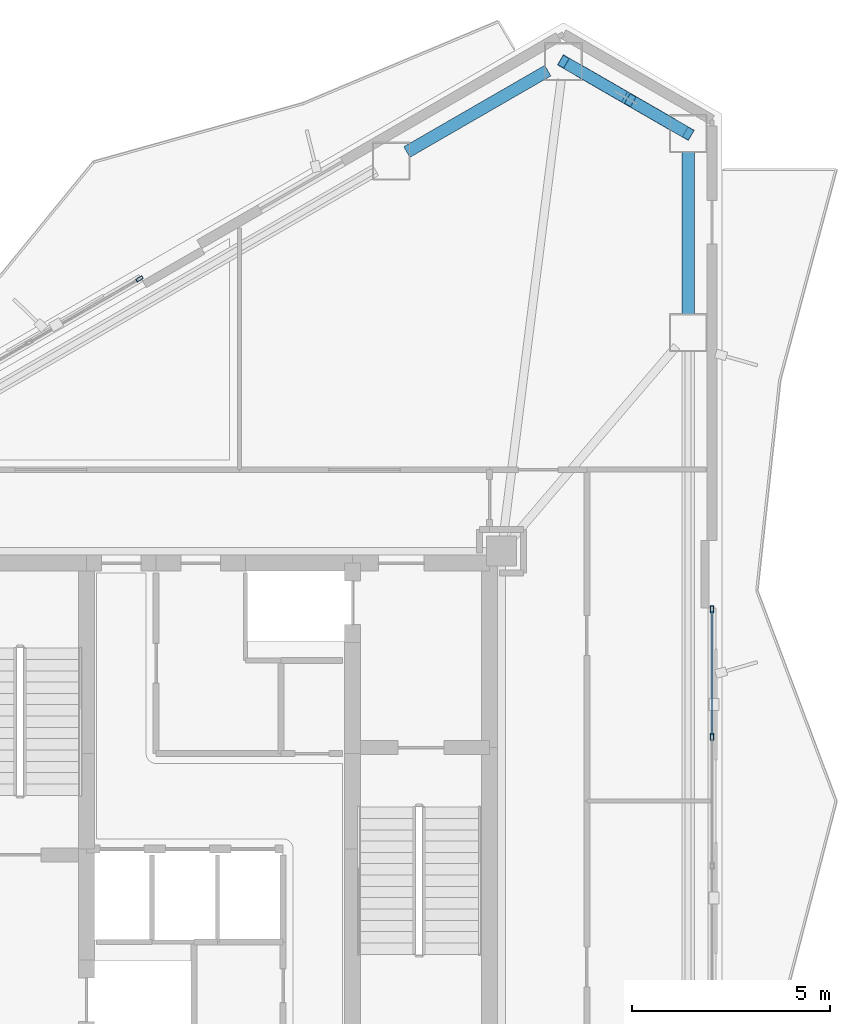
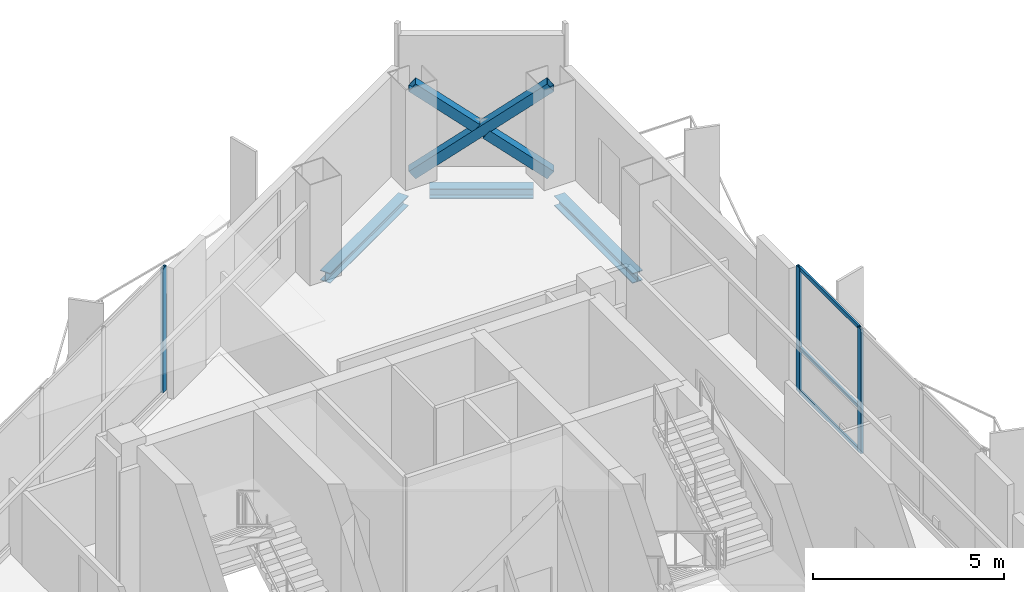
# One storey, part 11 of 18: 9 members, 3 beams, 2 elements without a shape of their own.
"""IFC4 building model written with IfcOpenShell, lengths in metres."""

from ifc_helpers import new_model, si_unit, direction, frame, origin, origin_2d, place, context, subcontext, project, spatial, hollow_rectangle, i_section, extrude, material, layer, layer_set, material_profile, profile_set, type_object, element, aggregate, save


model = new_model("IFC4")

# Units and contexts
model_context = context("Model", 3, precision=1e-05, world=origin(), true_north=direction((0.0, 1.0)))
body_context = subcontext(model_context, "Body", "Model", "MODEL_VIEW")
ifc_project = project(units=[si_unit("LENGTHUNIT", "METRE"), si_unit("AREAUNIT", "SQUARE_METRE"), si_unit("VOLUMEUNIT", "CUBIC_METRE"), si_unit("PLANEANGLEUNIT", "RADIAN"), si_unit("MASSUNIT", "GRAM", prefix="KILO")], contexts=[model_context])

# Site, building, storey
site_placement = place(None, origin())
site = spatial("IfcSite", under=ifc_project, at=site_placement, CompositionType="ELEMENT")
building_placement = place(site_placement, origin())
building = spatial("IfcBuilding", under=site, at=building_placement, Name="Mersakhor Tower and Convention Hall", CompositionType="ELEMENT")
storey_placement = place(building_placement, frame((0.0, 0.0, 170.699951171875)))
storey = spatial("IfcBuildingStorey", under=building, at=storey_placement, Name="L47", CompositionType="ELEMENT", Elevation=170.699951171875)

# Beams
ifc_material_1 = material(Name="Steel S355", Category="steel")
ifc_material_profile_1 = material_profile(ifc_material_1, i_section(OverallWidth=0.30908203125, OverallDepth=0.320556640625, WebThickness=0.013916015625, FlangeThickness=0.021728515625, at=origin_2d()), Name="UC 305x305x137")
ifc_profile_set_1 = profile_set([ifc_material_profile_1], Name="Steel S355")
beam_type = type_object("IfcBeamType", Name="BM-SPD-UC305", PredefinedType="SPANDREL", material=ifc_profile_set_1)
beam_1_placement = place(storey_placement, frame((33.71630859375, 43.102783203125, -0.440185546875), z_axis=(0.86602202897, 0.500005845305, 0.0), x_axis=(-0.500005845305, 0.86602202897, 0.0)))
element("IfcBeam", 1, at=beam_1_placement, inside=storey, type_object=beam_type, Name="L47 Perimeter Spandrel Beam SPB-03", PredefinedType="SPANDREL", context=body_context, shape_type="SweptSolid", body=[
    extrude(i_section(OverallWidth=0.30908203125, OverallDepth=0.320556640625, WebThickness=0.013916015625, FlangeThickness=0.021728515625, at=origin_2d()), origin(), (0.0, 0.0, 1.0), 4.1015625),
])
beam_2_placement = place(storey_placement, frame((38.056396484375, 45.153564453125, -0.440185546875), z_axis=(0.866050945225, -0.499955758317, 0.0), x_axis=(0.499955758317, 0.866050945225, 0.0)))
element("IfcBeam", 2, at=beam_2_placement, inside=storey, type_object=beam_type, Name="L47 Perimeter Spandrel Beam SPB-04", PredefinedType="SPANDREL", context=body_context, shape_type="SweptSolid", body=[
    extrude(i_section(OverallWidth=0.30908203125, OverallDepth=0.320556640625, WebThickness=0.013916015625, FlangeThickness=0.021728515625, at=origin_2d()), origin(), (0.0, 0.0, 1.0), 2.717529296875),
])
beam_3_placement = place(storey_placement, frame((40.8037109375, 43.1123046875, -0.440185546875), z_axis=(0.0, -1.0, 0.0), x_axis=(1.0, 0.0, 0.0)))
element("IfcBeam", 3, at=beam_3_placement, inside=storey, type_object=beam_type, Name="L47 Perimeter Spandrel Beam SPB-05", PredefinedType="SPANDREL", context=body_context, shape_type="SweptSolid", body=[
    extrude(i_section(OverallWidth=0.30908203125, OverallDepth=0.320556640625, WebThickness=0.013916015625, FlangeThickness=0.021728515625, at=origin_2d()), origin(), (0.0, 0.0, 1.0), 4.1015625),
])

# Curtain wall, member
ifc_material_2 = material(Name="Dark solar low-E aluminium curtain wall", Category="aluminium")
ifc_layer = layer(ifc_material_2, 0.199951171875)
ifc_layer_set = layer_set([ifc_layer], Name="Dark solar low-E aluminium curtain wall")
curtain_wall_type = type_object("IfcCurtainWallType", Name="CW-SYS-05", PredefinedType="USERDEFINED", material=ifc_layer_set)
curtain_wall_1_placement = place(storey_placement, origin())
curtain_wall_1 = element("IfcCurtainWall", 4, at=curtain_wall_1_placement, inside=storey, type_object=curtain_wall_type, Name="L47 Dark-Glass Curtain Wall F1-B2", ObjectType="CURTAIN WALL", PredefinedType="USERDEFINED")
ifc_material_3 = material(Name="Anodised aluminium EN AW-6063 T6", Category="aluminium")
ifc_material_profile_2 = material_profile(ifc_material_3, hollow_rectangle(XDim=0.080078125, YDim=0.179931640625, WallThickness=0.008056640625, at=origin_2d()), Name="RHS 180x80x8")
ifc_profile_set_2 = profile_set([ifc_material_profile_2], Name="Anodised aluminium EN AW-6063 T6")
member_type_1 = type_object("IfcMemberType", Name="CWM-180x80", PredefinedType="MULLION", material=ifc_profile_set_2)
member_1_placement = place(storey_placement, frame((26.982177734375, 39.90771484375, 0.199951171875), z_axis=(0.0, 0.0, 1.0), x_axis=(-0.499998484116, 0.866026278978, 0.0)))
member_1 = element("IfcMember", 5, at=member_1_placement, type_object=member_type_1, Name="CW-05 mullion 4", PredefinedType="MULLION", context=body_context, shape_type="SweptSolid", body=[
    extrude(hollow_rectangle(XDim=0.080078125, YDim=0.179931640625, WallThickness=0.008056640625, at=origin_2d()), origin(), (0.0, 0.0, 1.0), 3.989990234375),
])
aggregate(curtain_wall_1, [member_1])

# Curtain wall, members
curtain_wall_2_placement = place(storey_placement, origin())
curtain_wall_2 = element("IfcCurtainWall", 6, at=curtain_wall_2_placement, inside=storey, type_object=curtain_wall_type, Name="L47 Dark-Glass Curtain Wall F2-B2", ObjectType="CURTAIN WALL", PredefinedType="USERDEFINED")
member_2_placement = place(storey_placement, frame((41.40380859375, 31.581298828125, 0.199951171875), z_axis=(0.0, 0.0, 1.0), x_axis=(1.0, 0.0, 0.0)))
member_2 = element("IfcMember", 7, at=member_2_placement, type_object=member_type_1, Name="CW-05 mullion 1", PredefinedType="MULLION", context=body_context, shape_type="SweptSolid", body=[
    extrude(hollow_rectangle(XDim=0.080078125, YDim=0.179931640625, WallThickness=0.008056640625, at=origin_2d()), origin(), (0.0, 0.0, 1.0), 3.989990234375),
])
member_3_placement = place(storey_placement, frame((41.40380859375, 28.373779296875, 0.199951171875), z_axis=(0.0, 0.0, 1.0), x_axis=(1.0, 0.0, 0.0)))
member_3 = element("IfcMember", 8, at=member_3_placement, type_object=member_type_1, Name="CW-05 mullion 2", PredefinedType="MULLION", context=body_context, shape_type="SweptSolid", body=[
    extrude(hollow_rectangle(XDim=0.080078125, YDim=0.179931640625, WallThickness=0.008056640625, at=origin_2d()), origin(), (0.0, 0.0, 1.0), 3.989990234375),
])
ifc_material_4 = material(Name="Anodised aluminium EN AW-6063 T6", Category="aluminium")
ifc_material_profile_3 = material_profile(ifc_material_4, hollow_rectangle(XDim=0.06005859375, YDim=0.1201171875, WallThickness=0.0048828125, at=origin_2d()), Name="RHS 120x60x5")
ifc_profile_set_3 = profile_set([ifc_material_profile_3], Name="Anodised aluminium EN AW-6063 T6")
member_type_2 = type_object("IfcMemberType", Name="CWT-120x60", PredefinedType="USERDEFINED", material=ifc_profile_set_3)
member_4_placement = place(storey_placement, frame((41.40380859375, 31.541259765625, 0.22998046875), z_axis=(0.0, -1.0, 0.0), x_axis=(1.0, 0.0, 0.0)))
member_4 = element("IfcMember", 9, at=member_4_placement, type_object=member_type_2, Name="CW-05 transom 1.1", ObjectType="TRANSOM", PredefinedType="USERDEFINED", context=body_context, shape_type="SweptSolid", body=[
    extrude(hollow_rectangle(XDim=0.06005859375, YDim=0.1201171875, WallThickness=0.0048828125, at=origin_2d()), origin(), (0.0, 0.0, 1.0), 3.12744140625),
])
member_5_placement = place(storey_placement, frame((41.40380859375, 31.541259765625, 1.6201171875), z_axis=(0.0, -1.0, 0.0), x_axis=(1.0, 0.0, 0.0)))
member_5 = element("IfcMember", 10, at=member_5_placement, type_object=member_type_2, Name="CW-05 transom 1.2", ObjectType="TRANSOM", PredefinedType="USERDEFINED", context=body_context, shape_type="SweptSolid", body=[
    extrude(hollow_rectangle(XDim=0.06005859375, YDim=0.1201171875, WallThickness=0.0048828125, at=origin_2d()), origin(), (0.0, 0.0, 1.0), 3.12744140625),
])
member_6_placement = place(storey_placement, frame((41.40380859375, 31.541259765625, 4.16015625), z_axis=(0.0, -1.0, 0.0), x_axis=(1.0, 0.0, 0.0)))
member_6 = element("IfcMember", 11, at=member_6_placement, type_object=member_type_2, Name="CW-05 transom 1.3", ObjectType="TRANSOM", PredefinedType="USERDEFINED", context=body_context, shape_type="SweptSolid", body=[
    extrude(hollow_rectangle(XDim=0.06005859375, YDim=0.1201171875, WallThickness=0.0048828125, at=origin_2d()), origin(), (0.0, 0.0, 1.0), 3.12744140625),
])
aggregate(curtain_wall_2, [member_2, member_3, member_4, member_5, member_6])

# Members
ifc_material_5 = material(Name="Steel S355", Category="steel")
ifc_material_profile_4 = material_profile(ifc_material_5, hollow_rectangle(XDim=0.300048828125, YDim=0.300048828125, WallThickness=0.01611328125, at=origin_2d()), Name="SHS 300x300x16")
ifc_profile_set_4 = profile_set([ifc_material_profile_4], Name="Steel S355")
member_type_3 = type_object("IfcMemberType", Name="MB-BRC-SHS300", PredefinedType="BRACE", material=ifc_profile_set_4)
member_7_placement = place(storey_placement, frame((37.662353515625, 45.381103515625, 0.150146484375), z_axis=(0.685555635189, -0.395818202675, 0.611016711304), x_axis=(0.500011816409, 0.86601858147, 0.0)))
element("IfcMember", 12, at=member_7_placement, inside=storey, type_object=member_type_3, Name="L47 Chamfer Braced Frame Diagonal CB-1A", PredefinedType="BRACE", context=body_context, shape_type="SweptSolid", body=[
    extrude(hollow_rectangle(XDim=0.300048828125, YDim=0.300048828125, WallThickness=0.01611328125, at=origin_2d()), origin(), (0.0, 0.0, 1.0), 4.582275390625),
])
for number, where, z_axis, x_axis, name in (
    (13, (40.8037109375, 43.5673828125, 0.150146484375), (-0.685578327601, 0.395790701175, 0.611009065061), (-0.499973348067, -0.866040790738, 0.0), "L47 Chamfer Braced Frame Diagonal CB-1B Lower Half"),
    (14, (39.121337890625, 44.538818359375, 1.649658203125), (-0.685578327601, 0.395790701175, 0.611009065061), (-0.499973348067, -0.866040790738, 0.0), "L47 Chamfer Braced Frame Diagonal CB-1B Upper Half"),
):
    element("IfcMember", number, at=place(storey_placement, frame(where, z_axis=z_axis, x_axis=x_axis)), inside=storey, type_object=member_type_3, Name=name, PredefinedType="BRACE", context=body_context, shape_type="SweptSolid", body=[
        extrude(hollow_rectangle(XDim=0.300048828125, YDim=0.300048828125, WallThickness=0.01611328125, at=origin_2d()), origin(), (0.0, 0.0, 1.0), 2.128173828125),
    ])

save(model, "model.ifc")
